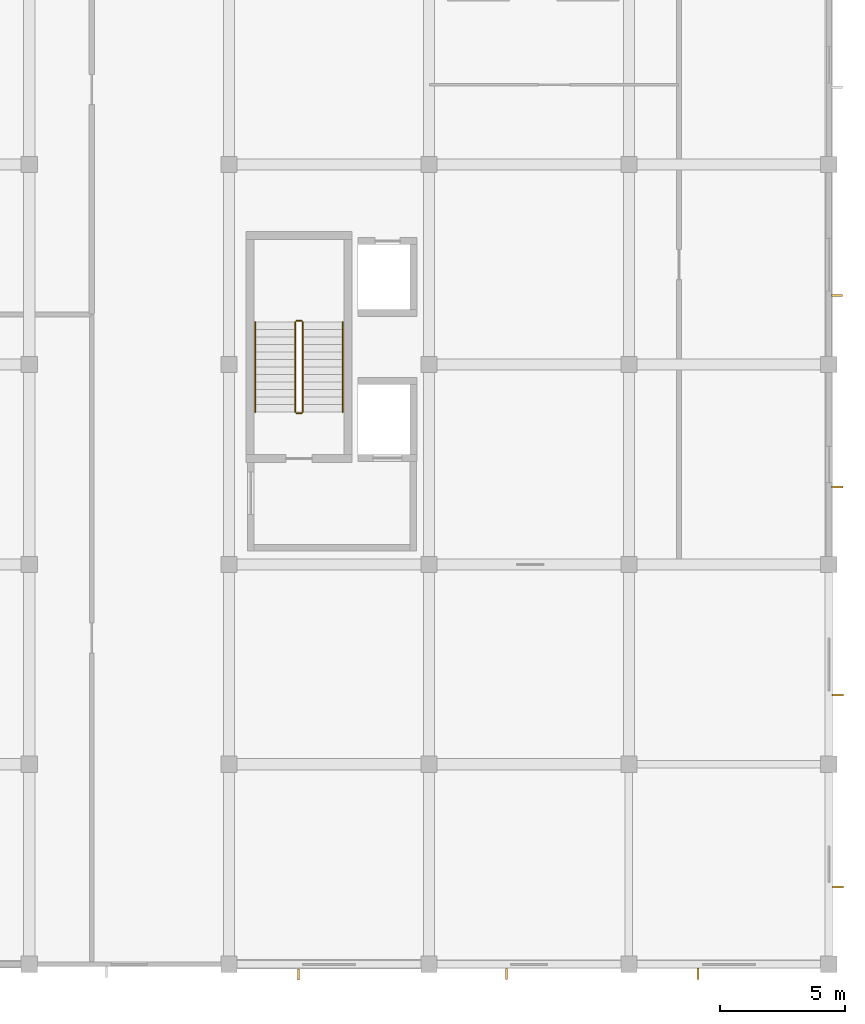
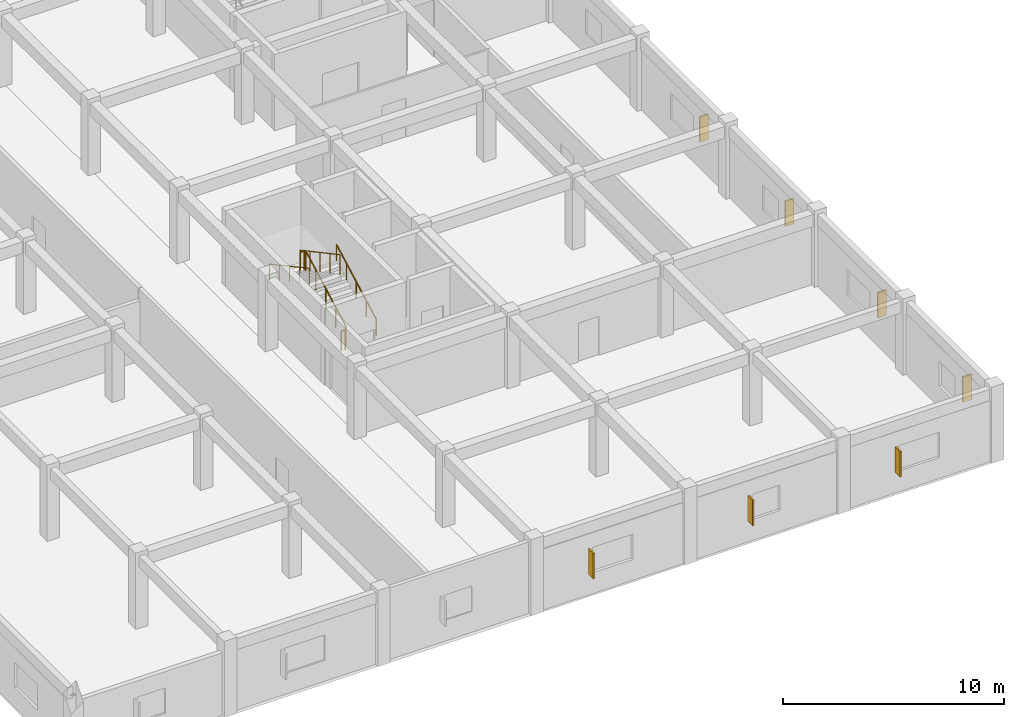
# One storey, part 52 of 54: 7 shading devices, 6 railings.
"""IFC4 building model written with IfcOpenShell, lengths in metres."""

from ifc_helpers import new_model, si_unit, direction, frame, origin, origin_2d, place, context, subcontext, project, spatial, rectangle, circle, extrude, material, type_object, element, save


model = new_model("IFC4")

# Units and contexts
model_context = context("Model", 3, precision=1e-05, world=origin(), true_north=direction((0.0, 1.0)))
body_context = subcontext(model_context, "Body", "Model", "MODEL_VIEW")
ifc_project = project(units=[si_unit("LENGTHUNIT", "METRE"), si_unit("AREAUNIT", "SQUARE_METRE"), si_unit("VOLUMEUNIT", "CUBIC_METRE"), si_unit("PLANEANGLEUNIT", "RADIAN"), si_unit("MASSUNIT", "GRAM", prefix="KILO")], contexts=[model_context])

# Site, building, storey
site_placement = place(None, origin())
site = spatial("IfcSite", under=ifc_project, at=site_placement, CompositionType="ELEMENT")
building_placement = place(site_placement, origin())
building = spatial("IfcBuilding", under=site, at=building_placement, Name="Kenh Van Central Station", CompositionType="ELEMENT")
storey_placement = place(building_placement, frame((0.0, 0.0, 15.0)))
storey = spatial("IfcBuildingStorey", under=building, at=storey_placement, Name="L03", CompositionType="ELEMENT", Elevation=15.0)

# Railings
ifc_material_1 = material(Name="Champagne anodised aluminium", Category="aluminium")
railing_type_1 = type_object("IfcRailingType", Name="RAIL-CORE-GRD110", PredefinedType="GUARDRAIL", material=ifc_material_1)
railing_1_placement = place(storey_placement, frame((154.949951171875, 30.10009765625, 0.16162109375)))
element("IfcRailing", 1, at=railing_1_placement, inside=storey, type_object=railing_type_1, Name="L03 ST-09 stair guard 1", PredefinedType="GUARDRAIL", context=body_context, shape_type="SweptSolid", body=[
    extrude(circle(Radius=0.02392578125, at=origin_2d()), frame((0.0, 0.0, 1.076171875), z_axis=(0.0, 0.880461512865, 0.474117627138), x_axis=(-1.0, 0.0, 0.0)), (0.0, 0.0, 1.0), 4.088623046875),
    extrude(circle(Radius=0.02099609375, at=origin_2d()), origin(), (0.0, 0.0, 1.0), 1.052001953125),
    extrude(circle(Radius=0.02099609375, at=origin_2d()), frame((0.0, 0.89990234375, 0.484619140625)), (0.0, 0.0, 1.0), 1.052001953125),
    extrude(circle(Radius=0.02099609375, at=origin_2d()), frame((0.0, 1.7998046875, 0.96923828125)), (0.0, 0.0, 1.0), 1.052001953125),
    extrude(circle(Radius=0.02099609375, at=origin_2d()), frame((0.0, 2.699951171875, 1.453857421875)), (0.0, 0.0, 1.0), 1.052001953125),
    extrude(circle(Radius=0.02099609375, at=origin_2d()), frame((0.0, 3.599853515625, 1.9384765625)), (0.0, 0.0, 1.0), 1.052001953125),
])
railing_2_placement = place(storey_placement, frame((154.89990234375, 33.75, 2.10009765625)))
element("IfcRailing", 2, at=railing_2_placement, inside=storey, type_object=railing_type_1, Name="L03 ST-09 stair guard 2", PredefinedType="GUARDRAIL", context=body_context, shape_type="SweptSolid", body=[
    extrude(circle(Radius=0.02392578125, at=origin_2d()), frame((0.0, 0.0, 1.076171875), z_axis=(-1.0, 0.0, 0.0), x_axis=(0.0, -1.0, 0.0)), (0.0, 0.0, 1.0), 0.199951171875),
    extrude(circle(Radius=0.02099609375, at=origin_2d()), origin(), (0.0, 0.0, 1.0), 1.052001953125),
    extrude(circle(Radius=0.02099609375, at=origin_2d()), frame((-0.199951171875, 0.0, 0.0)), (0.0, 0.0, 1.0), 1.052001953125),
])
railing_3_placement = place(storey_placement, frame((154.64990234375, 33.699951171875, 2.261474609375)))
element("IfcRailing", 3, at=railing_3_placement, inside=storey, type_object=railing_type_1, Name="L03 ST-09 stair guard 3", PredefinedType="GUARDRAIL", context=body_context, shape_type="SweptSolid", body=[
    extrude(circle(Radius=0.02392578125, at=origin_2d()), frame((0.0, 0.0, 1.076171875), z_axis=(0.0, -0.880461512865, 0.474117627138), x_axis=(1.0, 0.0, 0.0)), (0.0, 0.0, 1.0), 4.088623046875),
    extrude(circle(Radius=0.02099609375, at=origin_2d()), origin(), (0.0, 0.0, 1.0), 1.052001953125),
    extrude(circle(Radius=0.02099609375, at=origin_2d()), frame((0.0, -0.89990234375, 0.484619140625)), (0.0, 0.0, 1.0), 1.052001953125),
    extrude(circle(Radius=0.02099609375, at=origin_2d()), frame((0.0, -1.7998046875, 0.96923828125)), (0.0, 0.0, 1.0), 1.052001953125),
    extrude(circle(Radius=0.02099609375, at=origin_2d()), frame((0.0, -2.699951171875, 1.453857421875)), (0.0, 0.0, 1.0), 1.052001953125),
    extrude(circle(Radius=0.02099609375, at=origin_2d()), frame((0.0, -3.599853515625, 1.9384765625)), (0.0, 0.0, 1.0), 1.052001953125),
])
railing_4_placement = place(storey_placement, frame((154.89990234375, 30.050048828125, 0.0)))
element("IfcRailing", 4, at=railing_4_placement, inside=storey, type_object=railing_type_1, Name="L03 ST-09 stair guard 4", PredefinedType="GUARDRAIL", context=body_context, shape_type="SweptSolid", body=[
    extrude(circle(Radius=0.02392578125, at=origin_2d()), frame((0.0, 0.0, 1.076171875), z_axis=(-1.0, 0.0, 0.0), x_axis=(0.0, -1.0, 0.0)), (0.0, 0.0, 1.0), 0.199951171875),
    extrude(circle(Radius=0.02099609375, at=origin_2d()), origin(), (0.0, 0.0, 1.0), 1.052001953125),
    extrude(circle(Radius=0.02099609375, at=origin_2d()), frame((-0.199951171875, 0.0, 0.0)), (0.0, 0.0, 1.0), 1.052001953125),
])
railing_type_2 = type_object("IfcRailingType", Name="RAIL-CORE-HND90", PredefinedType="HANDRAIL", material=ifc_material_1)
railing_5_placement = place(storey_placement, frame((156.550048828125, 30.10009765625, 0.16162109375)))
element("IfcRailing", 5, at=railing_5_placement, inside=storey, type_object=railing_type_2, Name="L03 ST-09 stair handrail 1", PredefinedType="HANDRAIL", context=body_context, shape_type="SweptSolid", body=[
    extrude(circle(Radius=0.02392578125, at=origin_2d()), frame((0.0, 0.0, 0.8759765625), z_axis=(0.0, 0.880461512865, 0.474117627138), x_axis=(-1.0, 0.0, 0.0)), (0.0, 0.0, 1.0), 4.088623046875),
    extrude(circle(Radius=0.02099609375, at=origin_2d()), origin(), (0.0, 0.0, 1.0), 0.851806640625),
    extrude(circle(Radius=0.02099609375, at=origin_2d()), frame((0.0, 0.89990234375, 0.484619140625)), (0.0, 0.0, 1.0), 0.851806640625),
    extrude(circle(Radius=0.02099609375, at=origin_2d()), frame((0.0, 1.7998046875, 0.96923828125)), (0.0, 0.0, 1.0), 0.851806640625),
    extrude(circle(Radius=0.02099609375, at=origin_2d()), frame((0.0, 2.699951171875, 1.453857421875)), (0.0, 0.0, 1.0), 0.851806640625),
    extrude(circle(Radius=0.02099609375, at=origin_2d()), frame((0.0, 3.599853515625, 1.9384765625)), (0.0, 0.0, 1.0), 0.851806640625),
])
railing_6_placement = place(storey_placement, frame((153.050048828125, 33.699951171875, 2.261474609375)))
element("IfcRailing", 6, at=railing_6_placement, inside=storey, type_object=railing_type_2, Name="L03 ST-09 stair handrail 2", PredefinedType="HANDRAIL", context=body_context, shape_type="SweptSolid", body=[
    extrude(circle(Radius=0.02392578125, at=origin_2d()), frame((0.0, 0.0, 0.8759765625), z_axis=(0.0, -0.880461512865, 0.474117627138), x_axis=(1.0, 0.0, 0.0)), (0.0, 0.0, 1.0), 4.088623046875),
    extrude(circle(Radius=0.02099609375, at=origin_2d()), origin(), (0.0, 0.0, 1.0), 0.851806640625),
    extrude(circle(Radius=0.02099609375, at=origin_2d()), frame((0.0, -0.89990234375, 0.484619140625)), (0.0, 0.0, 1.0), 0.851806640625),
    extrude(circle(Radius=0.02099609375, at=origin_2d()), frame((0.0, -1.7998046875, 0.96923828125)), (0.0, 0.0, 1.0), 0.851806640625),
    extrude(circle(Radius=0.02099609375, at=origin_2d()), frame((0.0, -2.699951171875, 1.453857421875)), (0.0, 0.0, 1.0), 0.851806640625),
    extrude(circle(Radius=0.02099609375, at=origin_2d()), frame((0.0, -3.599853515625, 1.9384765625)), (0.0, 0.0, 1.0), 0.851806640625),
])

# Shading devices
ifc_material_2 = material(Name="Precast concrete C40/50", Category="concrete")
shading_device_type = type_object("IfcShadingDeviceType", Name="SHD-FIN-SHT", PredefinedType="SHUTTER", material=ifc_material_2)
for number, where, z_axis, x_axis, name in (
    (7, (154.77001953125, 7.594970703125, 1.150146484375), (0.0, 0.0, 1.0), (0.0, -1.0, 0.0), "L03 vertical brise-soleil fin 014"),
    (8, (163.094970703125, 7.610107421875, 1.150146484375), (0.0, 0.0, 1.0), (0.0, -1.0, 0.0), "L03 vertical brise-soleil fin 015"),
    (9, (170.77001953125, 7.6201171875, 1.150146484375), (0.0, 0.0, 1.0), (0.0, -1.0, 0.0), "L03 vertical brise-soleil fin 016"),
    (10, (176.3701171875, 11.094970703125, 1.150146484375), (0.0, 0.0, 1.0), (1.0, 0.0, 0.0), "L03 vertical brise-soleil fin 017"),
    (11, (176.360107421875, 18.77001953125, 1.150146484375), (0.0, 0.0, 1.0), (1.0, 0.0, 0.0), "L03 vertical brise-soleil fin 018"),
    (12, (176.3349609375, 27.094970703125, 1.150146484375), (0.0, 0.0, 1.0), (1.0, 0.0, 0.0), "L03 vertical brise-soleil fin 019"),
    (13, (176.324951171875, 34.77001953125, 1.150146484375), (0.0, 0.0, 1.0), (1.0, 0.0, 0.0), "L03 vertical brise-soleil fin 020"),
):
    element("IfcShadingDevice", number, at=place(storey_placement, frame(where, z_axis=z_axis, x_axis=x_axis)), inside=storey, type_object=shading_device_type, Name=name, PredefinedType="SHUTTER", context=body_context, shape_type="SweptSolid", body=[
        extrude(rectangle(XDim=0.449951171875, YDim=0.080078125, at=origin_2d()), origin(), (0.0, 0.0, 1.0), 1.39990234375),
    ])

save(model, "model.ifc")
